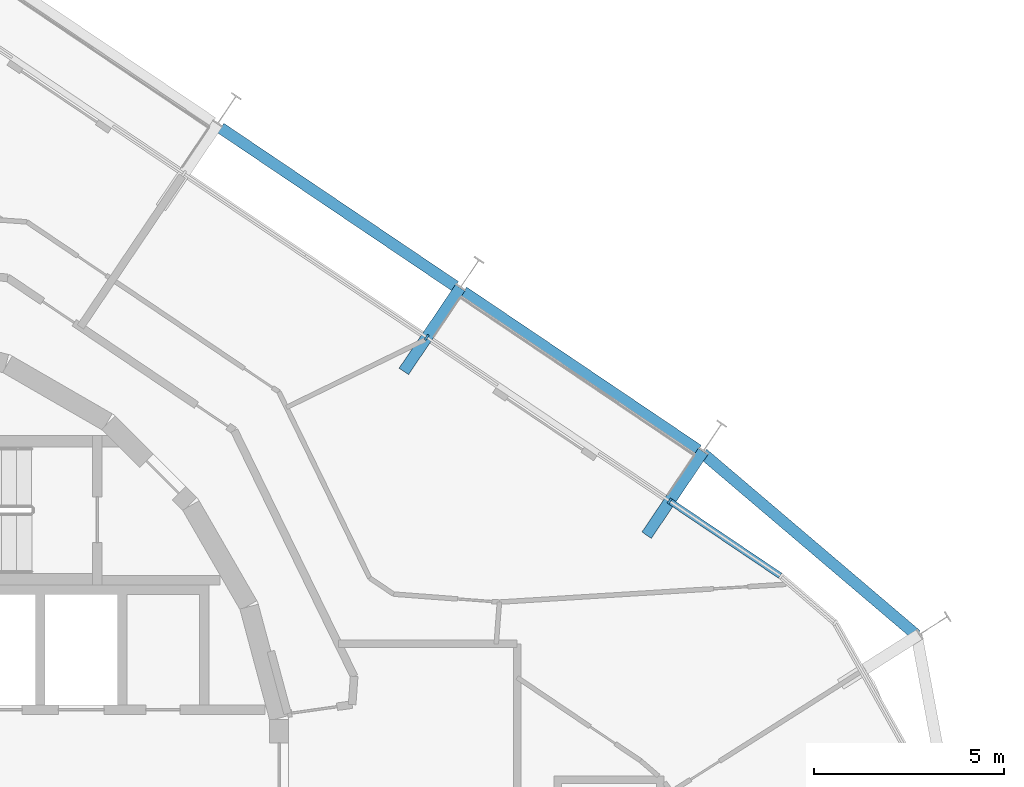
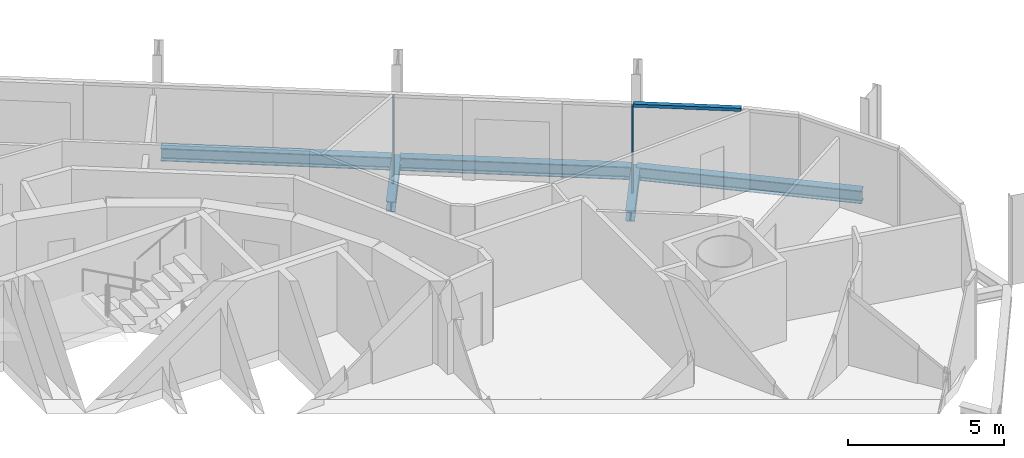
# One storey, part 9 of 18: 5 beams, 3 members, 2 elements without a shape of their own.
"""IFC4 building model written with IfcOpenShell, lengths in metres."""

from ifc_helpers import new_model, si_unit, direction, frame, origin, origin_2d, place, context, subcontext, project, spatial, rectangle, i_section, extrude, material, layer, layer_set, material_profile, profile_set, type_object, element, aggregate, save


model = new_model("IFC4")

# Units and contexts
model_context = context("Model", 3, precision=1e-05, world=origin(), true_north=direction((0.0, 1.0)))
body_context = subcontext(model_context, "Body", "Model", "MODEL_VIEW")
ifc_project = project(units=[si_unit("LENGTHUNIT", "METRE"), si_unit("AREAUNIT", "SQUARE_METRE"), si_unit("VOLUMEUNIT", "CUBIC_METRE"), si_unit("PLANEANGLEUNIT", "RADIAN"), si_unit("MASSUNIT", "GRAM", prefix="KILO")], contexts=[model_context])

# Site, building, storey
site_placement = place(None, origin())
site = spatial("IfcSite", under=ifc_project, at=site_placement, CompositionType="ELEMENT")
building_placement = place(site_placement, origin())
building = spatial("IfcBuilding", under=site, at=building_placement, Name="Spindle Arch Residences", CompositionType="ELEMENT")
storey_placement = place(building_placement, frame((0.0, 0.0, 198.89990234375)))
storey = spatial("IfcBuildingStorey", under=building, at=storey_placement, Name="L50", CompositionType="ELEMENT", Elevation=198.89990234375)

# Curtain wall, members
ifc_material_1 = material(Name="Aluminium bronze unitised frame with tinted glass", Category="aluminium")
ifc_layer_1 = layer(ifc_material_1, 0.159912109375)
ifc_layer_set_1 = layer_set([ifc_layer_1], Name="CW-C typical residential unitised wall")
curtain_wall_type_1 = type_object("IfcCurtainWallType", Name="CW-C typical residential unitised wall", PredefinedType="NOTDEFINED", material=ifc_layer_set_1)
curtain_wall_1_placement = place(storey_placement, origin())
curtain_wall_1 = element("IfcCurtainWall", 1, at=curtain_wall_1_placement, inside=storey, type_object=curtain_wall_type_1, Name="CW-C L50 run 2", PredefinedType="NOTDEFINED")
ifc_material_2 = material(Name="Aluminium bronze anodised mullion", Category="aluminium")
ifc_material_profile_1 = material_profile(ifc_material_2, rectangle(XDim=0.159912109375, YDim=0.06005859375, at=origin_2d()), Name="MU 60x160")
ifc_profile_set_1 = profile_set([ifc_material_profile_1], Name="Aluminium bronze anodised mullion")
member_type_1 = type_object("IfcMemberType", Name="Bronze mullion 60x160", PredefinedType="MULLION", material=ifc_profile_set_1)
member_1_placement = place(storey_placement, frame((21.905029296875, 7.25146484375, -0.3798828125), z_axis=(0.0, 0.0, 1.0), x_axis=(-0.559192903471, -0.829037572555, 0.0)))
member_1 = element("IfcMember", 2, at=member_1_placement, type_object=member_type_1, Name="CW-C mullion 05", PredefinedType="MULLION", context=body_context, shape_type="SweptSolid", body=[
    extrude(rectangle(XDim=0.159912109375, YDim=0.06005859375, at=origin_2d()), origin(), (0.0, 0.0, 1.0), 3.3798828125),
])
member_2_placement = place(storey_placement, frame((15.526611328125, 11.5537109375, -0.3798828125), z_axis=(0.0, 0.0, 1.0), x_axis=(-0.559192903471, -0.829037572555, 0.0)))
member_2 = element("IfcMember", 3, at=member_2_placement, type_object=member_type_1, Name="CW-C mullion 06", PredefinedType="MULLION", context=body_context, shape_type="SweptSolid", body=[
    extrude(rectangle(XDim=0.159912109375, YDim=0.06005859375, at=origin_2d()), origin(), (0.0, 0.0, 1.0), 3.3798828125),
])
aggregate(curtain_wall_1, [member_1, member_2])

# Curtain wall, member
ifc_material_3 = material(Name="Aluminium bronze unitised frame with tinted glass", Category="aluminium")
ifc_layer_2 = layer(ifc_material_3, 0.159912109375)
ifc_layer_set_2 = layer_set([ifc_layer_2], Name="CW-D corner wall on the fillet arcs")
curtain_wall_type_2 = type_object("IfcCurtainWallType", Name="CW-D corner wall on the fillet arcs", PredefinedType="NOTDEFINED", material=ifc_layer_set_2)
curtain_wall_2_placement = place(storey_placement, origin())
curtain_wall_2 = element("IfcCurtainWall", 4, at=curtain_wall_2_placement, inside=storey, type_object=curtain_wall_type_2, Name="CW-D L50 run 1", PredefinedType="NOTDEFINED")
ifc_material_4 = material(Name="Aluminium bronze anodised transom", Category="aluminium")
ifc_material_profile_2 = material_profile(ifc_material_4, rectangle(XDim=0.159912109375, YDim=0.1201171875, at=origin_2d()), Name="TR 120x160")
ifc_profile_set_2 = profile_set([ifc_material_profile_2], Name="Aluminium bronze anodised transom")
member_type_2 = type_object("IfcMemberType", Name="Bronze transom 120x160", PredefinedType="USERDEFINED", material=ifc_profile_set_2)
member_3_placement = place(storey_placement, frame((24.805419921875, 5.295166015625, 3.06005859375), z_axis=(-0.829049362711, 0.559175423448, 0.0), x_axis=(-0.559175423448, -0.829049362711, 0.0)))
member_3 = element("IfcMember", 5, at=member_3_placement, type_object=member_type_2, Name="CW-D transom 06", ObjectType="TRANSOM", PredefinedType="USERDEFINED", context=body_context, shape_type="SweptSolid", body=[
    extrude(rectangle(XDim=0.159912109375, YDim=0.1201171875, at=origin_2d()), origin(), (0.0, 0.0, 1.0), 3.468505859375),
])
aggregate(curtain_wall_2, [member_3])

# Beams
ifc_material_5 = material(Name="Steel S460ML, intumescent coating R 120", Category="steel")
ifc_material_profile_3 = material_profile(ifc_material_5, i_section(OverallWidth=0.300048828125, OverallDepth=0.5, WebThickness=0.014404296875, FlangeThickness=0.028076171875, FilletRadius=0.027099609375, at=origin_2d()), Name="HEB 500")
ifc_profile_set_3 = profile_set([ifc_material_profile_3], Name="Steel S460ML, intumescent coating R 120")
beam_type_1 = type_object("IfcBeamType", Name="Exoskeleton edge beam HEB 500", PredefinedType="BEAM", material=ifc_profile_set_3)
beam_placement = place(storey_placement, frame((28.39208984375, 3.72998046875, -0.6298828125), z_axis=(-0.761813327651, 0.647796614543, 0.0), x_axis=(-0.647796614543, -0.761813327651, 0.0)))
element("IfcBeam", 6, at=beam_placement, inside=storey, type_object=beam_type_1, Name="Exoskeleton edge beam 5", PredefinedType="BEAM", context=body_context, shape_type="SweptSolid", body=[
    extrude(i_section(OverallWidth=0.300048828125, OverallDepth=0.5, WebThickness=0.014404296875, FlangeThickness=0.028076171875, FilletRadius=0.027099609375, at=origin_2d()), origin(), (0.0, 0.0, 1.0), 7.36376953125),
])
for number, where, z_axis, x_axis, name in (
    (7, (22.65283203125, 8.592529296875, -0.6298828125), (-0.829031763913, 0.55920151504, 0.0), (-0.55920151504, -0.829031763913, 0.0), "Exoskeleton edge beam 6"),
    (8, (16.2744140625, 12.894775390625, -0.6298828125), (-0.829031763913, 0.55920151504, 0.0), (-0.55920151504, -0.829031763913, 0.0), "Exoskeleton edge beam 7"),
):
    element("IfcBeam", number, at=place(storey_placement, frame(where, z_axis=z_axis, x_axis=x_axis)), inside=storey, type_object=beam_type_1, Name=name, PredefinedType="BEAM", context=body_context, shape_type="SweptSolid", body=[
        extrude(i_section(OverallWidth=0.300048828125, OverallDepth=0.5, WebThickness=0.014404296875, FlangeThickness=0.028076171875, FilletRadius=0.027099609375, at=origin_2d()), origin(), (0.0, 0.0, 1.0), 7.433837890625),
    ])
ifc_material_6 = material(Name="Steel S460ML, intumescent coating R 120", Category="steel")
ifc_material_profile_4 = material_profile(ifc_material_6, i_section(OverallWidth=0.300048828125, OverallDepth=0.389892578125, WebThickness=0.010986328125, FlangeThickness=0.01904296875, FilletRadius=0.027099609375, at=origin_2d()), Name="HEA 400")
ifc_profile_set_4 = profile_set([ifc_material_profile_4], Name="Steel S460ML, intumescent coating R 120")
beam_type_2 = type_object("IfcBeamType", Name="Floor outrigger HEA 400", PredefinedType="BEAM", material=ifc_profile_set_4)
for number, where, z_axis, x_axis, name in (
    (9, (22.782958984375, 8.552978515625, -0.574951171875), (-0.559199099546, -0.829033393216, 0.0), (0.829033393216, -0.559199099546, 0.0), "Floor outrigger 6"),
    (10, (16.404541015625, 12.855224609375, -0.574951171875), (-0.559199099546, -0.829033393216, 0.0), (0.829033393216, -0.559199099546, 0.0), "Floor outrigger 7"),
):
    element("IfcBeam", number, at=place(storey_placement, frame(where, z_axis=z_axis, x_axis=x_axis)), inside=storey, type_object=beam_type_2, Name=name, PredefinedType="BEAM", context=body_context, shape_type="SweptSolid", body=[
        extrude(i_section(OverallWidth=0.300048828125, OverallDepth=0.389892578125, WebThickness=0.010986328125, FlangeThickness=0.01904296875, FilletRadius=0.027099609375, at=origin_2d()), origin(), (0.0, 0.0, 1.0), 2.650146484375),
    ])

save(model, "model.ifc")
